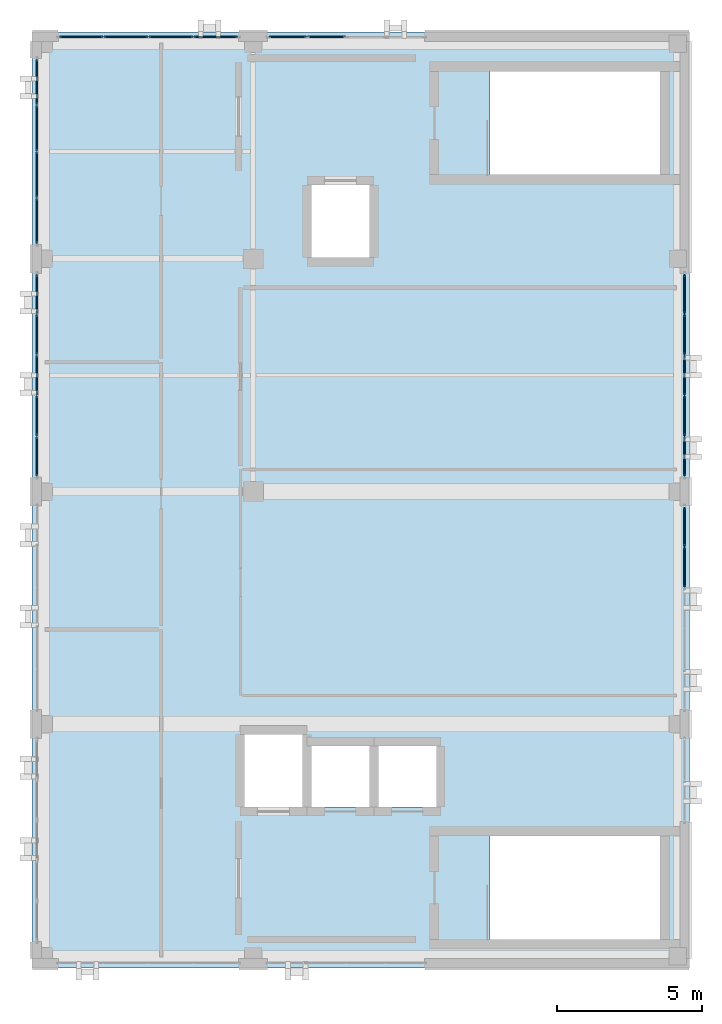
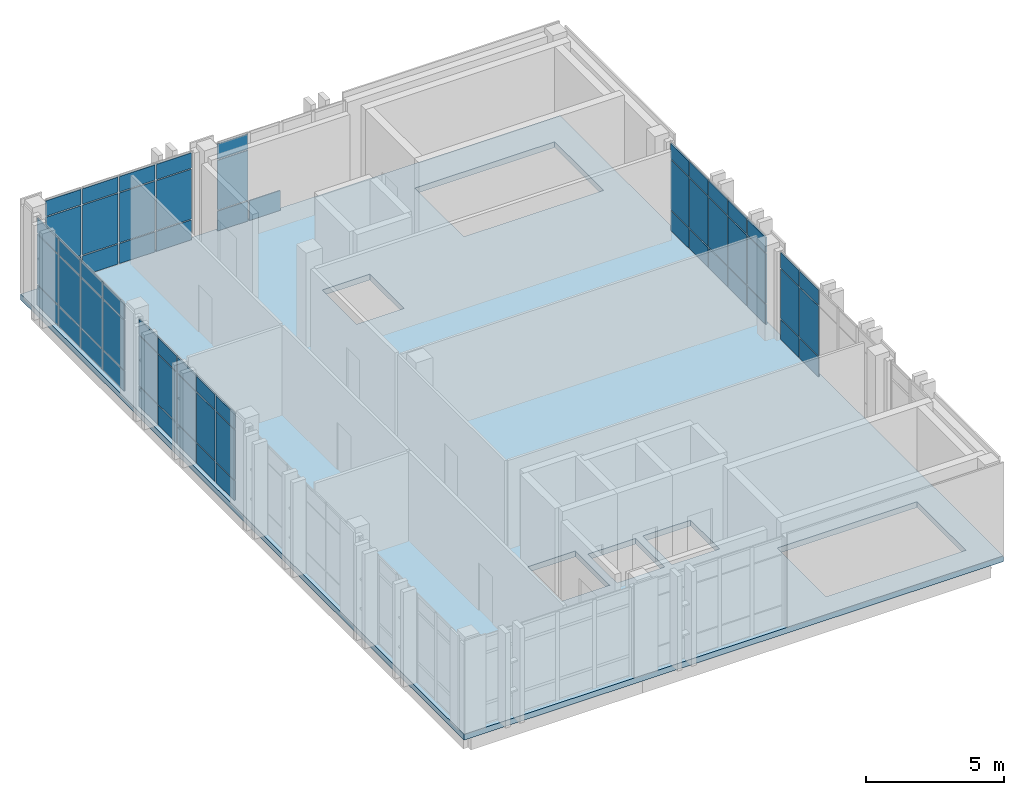
# One storey, part 16 of 19: 64 plates, 1 slab, 6 elements without a shape of their own.
"""IFC4 building model written with IfcOpenShell, lengths in metres."""

from ifc_helpers import new_model, si_unit, direction, frame, origin, origin_2d, place, context, subcontext, project, spatial, polyline, rectangle, outline, extrude, material, layer, layer_set, type_object, element, aggregate, save


model = new_model("IFC4")

# Units and contexts
model_context = context("Model", 3, precision=1e-05, world=origin(), true_north=direction((0.0, 1.0)))
body_context = subcontext(model_context, "Body", "Model", "MODEL_VIEW")
ifc_project = project(units=[si_unit("LENGTHUNIT", "METRE"), si_unit("AREAUNIT", "SQUARE_METRE"), si_unit("VOLUMEUNIT", "CUBIC_METRE"), si_unit("PLANEANGLEUNIT", "RADIAN"), si_unit("MASSUNIT", "GRAM", prefix="KILO")], contexts=[model_context])

# Site, building, storey
site_placement = place(None, origin())
site = spatial("IfcSite", under=ifc_project, at=site_placement, CompositionType="ELEMENT")
building_placement = place(site_placement, origin())
building = spatial("IfcBuilding", under=site, at=building_placement, Name="Qalavern Law Courts", CompositionType="ELEMENT")
storey_placement = place(building_placement, frame((0.0, 0.0, 39.60009765625)))
storey = spatial("IfcBuildingStorey", under=building, at=storey_placement, Name="L09", CompositionType="ELEMENT", Elevation=39.60009765625)

# Curtain wall, plates
ifc_material_1 = material(Name="Anodised aluminium and insulated glazing", Category="aluminium")
ifc_layer_1 = layer(ifc_material_1, 0.159912109375)
ifc_layer_set_1 = layer_set([ifc_layer_1], Name="Anodised aluminium and insulated glazing")
curtain_wall_type = type_object("IfcCurtainWallType", Name="ENV-CW-CHAMB", PredefinedType="USERDEFINED", material=ifc_layer_set_1)
curtain_wall_1_placement = place(storey_placement, origin())
curtain_wall_1 = element("IfcCurtainWall", 1, at=curtain_wall_1_placement, inside=storey, type_object=curtain_wall_type, Name="V4 unitised curtain wall L09 north 1", ObjectType="UNITISED CURTAIN WALL", PredefinedType="USERDEFINED")
ifc_material_2 = material(Name="Insulated low-E acoustic glazing", Category="glass")
ifc_layer_2 = layer(ifc_material_2, 0.0439453125)
ifc_layer_set_2 = layer_set([ifc_layer_2], Name="Insulated low-E acoustic glazing")
plate_type_1 = type_object("IfcPlateType", Name="ENV-CWP-44", PredefinedType="CURTAIN_PANEL", material=ifc_layer_set_2)
plate_1_placement = place(storey_placement, frame((94.324951171875, 73.03759765625, 0.0478515625), z_axis=(0.0, 0.0, 1.0), x_axis=(-1.0, 0.0, 0.0)))
plate_1 = element("IfcPlate", 2, at=plate_1_placement, type_object=plate_type_1, Name="CW-04 panel 3.1", PredefinedType="CURTAIN_PANEL", context=body_context, shape_type="SweptSolid", body=[
    extrude(rectangle(XDim=1.302001953125, YDim=0.0439453125, at=origin_2d()), origin(), (0.0, 0.0, 1.0), 0.8779296875),
])
plate_2_placement = place(storey_placement, frame((92.987060546875, 73.03759765625, 0.0478515625), z_axis=(0.0, 0.0, 1.0), x_axis=(-1.0, 0.0, 0.0)))
plate_2 = element("IfcPlate", 3, at=plate_2_placement, type_object=plate_type_1, Name="CW-04 panel 4.1", PredefinedType="CURTAIN_PANEL", context=body_context, shape_type="SweptSolid", body=[
    extrude(rectangle(XDim=1.278076171875, YDim=0.0439453125, at=origin_2d()), origin(), (0.0, 0.0, 1.0), 0.8779296875),
])
plate_3_placement = place(storey_placement, frame((92.987060546875, 73.03759765625, 0.97412109375), z_axis=(0.0, 0.0, 1.0), x_axis=(-1.0, 0.0, 0.0)))
plate_3 = element("IfcPlate", 4, at=plate_3_placement, type_object=plate_type_1, Name="CW-04 panel 4.2", PredefinedType="CURTAIN_PANEL", context=body_context, shape_type="SweptSolid", body=[
    extrude(rectangle(XDim=1.278076171875, YDim=0.0439453125, at=origin_2d()), origin(), (0.0, 0.0, 1.0), 2.201904296875),
])
plate_4_placement = place(storey_placement, frame((92.987060546875, 73.03759765625, 3.22412109375), z_axis=(0.0, 0.0, 1.0), x_axis=(-1.0, 0.0, 0.0)))
plate_4 = element("IfcPlate", 5, at=plate_4_placement, type_object=plate_type_1, Name="CW-04 panel 4.3", PredefinedType="CURTAIN_PANEL", context=body_context, shape_type="SweptSolid", body=[
    extrude(rectangle(XDim=1.278076171875, YDim=0.0439453125, at=origin_2d()), origin(), (0.0, 0.0, 1.0), 0.677978515625),
])
aggregate(curtain_wall_1, [plate_1, plate_2, plate_3, plate_4])

curtain_wall_2_placement = place(storey_placement, origin())
curtain_wall_2 = element("IfcCurtainWall", 6, at=curtain_wall_2_placement, inside=storey, type_object=curtain_wall_type, Name="V4 unitised curtain wall L09 west 1", ObjectType="UNITISED CURTAIN WALL", PredefinedType="USERDEFINED")
plate_5_placement = place(storey_placement, frame((84.362548828125, 71.488037109375, 0.0478515625), z_axis=(0.0, 0.0, 1.0), x_axis=(0.0, -1.0, 0.0)))
plate_5 = element("IfcPlate", 7, at=plate_5_placement, type_object=plate_type_1, Name="CW-04 panel 1.1", PredefinedType="CURTAIN_PANEL", context=body_context, shape_type="SweptSolid", body=[
    extrude(rectangle(XDim=1.528076171875, YDim=0.0439453125, at=origin_2d()), origin(), (0.0, 0.0, 1.0), 0.8779296875),
])
plate_6_placement = place(storey_placement, frame((84.362548828125, 71.488037109375, 0.97412109375), z_axis=(0.0, 0.0, 1.0), x_axis=(0.0, -1.0, 0.0)))
plate_6 = element("IfcPlate", 8, at=plate_6_placement, type_object=plate_type_1, Name="CW-04 panel 1.2", PredefinedType="CURTAIN_PANEL", context=body_context, shape_type="SweptSolid", body=[
    extrude(rectangle(XDim=1.528076171875, YDim=0.0439453125, at=origin_2d()), origin(), (0.0, 0.0, 1.0), 2.201904296875),
])
plate_7_placement = place(storey_placement, frame((84.362548828125, 71.488037109375, 3.22412109375), z_axis=(0.0, 0.0, 1.0), x_axis=(0.0, -1.0, 0.0)))
plate_7 = element("IfcPlate", 9, at=plate_7_placement, type_object=plate_type_1, Name="CW-04 panel 1.3", PredefinedType="CURTAIN_PANEL", context=body_context, shape_type="SweptSolid", body=[
    extrude(rectangle(XDim=1.528076171875, YDim=0.0439453125, at=origin_2d()), origin(), (0.0, 0.0, 1.0), 0.677978515625),
])
plate_8_placement = place(storey_placement, frame((84.362548828125, 69.89990234375, 0.0478515625), z_axis=(0.0, 0.0, 1.0), x_axis=(0.0, -1.0, 0.0)))
plate_8 = element("IfcPlate", 10, at=plate_8_placement, type_object=plate_type_1, Name="CW-04 panel 2.1", PredefinedType="CURTAIN_PANEL", context=body_context, shape_type="SweptSolid", body=[
    extrude(rectangle(XDim=1.552001953125, YDim=0.0439453125, at=origin_2d()), origin(), (0.0, 0.0, 1.0), 0.8779296875),
])
plate_9_placement = place(storey_placement, frame((84.362548828125, 69.89990234375, 0.97412109375), z_axis=(0.0, 0.0, 1.0), x_axis=(0.0, -1.0, 0.0)))
plate_9 = element("IfcPlate", 11, at=plate_9_placement, type_object=plate_type_1, Name="CW-04 panel 2.2", PredefinedType="CURTAIN_PANEL", context=body_context, shape_type="SweptSolid", body=[
    extrude(rectangle(XDim=1.552001953125, YDim=0.0439453125, at=origin_2d()), origin(), (0.0, 0.0, 1.0), 2.201904296875),
])
plate_10_placement = place(storey_placement, frame((84.362548828125, 69.89990234375, 3.22412109375), z_axis=(0.0, 0.0, 1.0), x_axis=(0.0, -1.0, 0.0)))
plate_10 = element("IfcPlate", 12, at=plate_10_placement, type_object=plate_type_1, Name="CW-04 panel 2.3", PredefinedType="CURTAIN_PANEL", context=body_context, shape_type="SweptSolid", body=[
    extrude(rectangle(XDim=1.552001953125, YDim=0.0439453125, at=origin_2d()), origin(), (0.0, 0.0, 1.0), 0.677978515625),
])
plate_11_placement = place(storey_placement, frame((84.362548828125, 68.300048828125, 0.0478515625), z_axis=(0.0, 0.0, 1.0), x_axis=(0.0, -1.0, 0.0)))
plate_11 = element("IfcPlate", 13, at=plate_11_placement, type_object=plate_type_1, Name="CW-04 panel 3.1", PredefinedType="CURTAIN_PANEL", context=body_context, shape_type="SweptSolid", body=[
    extrude(rectangle(XDim=1.552001953125, YDim=0.0439453125, at=origin_2d()), origin(), (0.0, 0.0, 1.0), 0.8779296875),
])
plate_12_placement = place(storey_placement, frame((84.362548828125, 68.300048828125, 0.97412109375), z_axis=(0.0, 0.0, 1.0), x_axis=(0.0, -1.0, 0.0)))
plate_12 = element("IfcPlate", 14, at=plate_12_placement, type_object=plate_type_1, Name="CW-04 panel 3.2", PredefinedType="CURTAIN_PANEL", context=body_context, shape_type="SweptSolid", body=[
    extrude(rectangle(XDim=1.552001953125, YDim=0.0439453125, at=origin_2d()), origin(), (0.0, 0.0, 1.0), 2.201904296875),
])
plate_13_placement = place(storey_placement, frame((84.362548828125, 68.300048828125, 3.22412109375), z_axis=(0.0, 0.0, 1.0), x_axis=(0.0, -1.0, 0.0)))
plate_13 = element("IfcPlate", 15, at=plate_13_placement, type_object=plate_type_1, Name="CW-04 panel 3.3", PredefinedType="CURTAIN_PANEL", context=body_context, shape_type="SweptSolid", body=[
    extrude(rectangle(XDim=1.552001953125, YDim=0.0439453125, at=origin_2d()), origin(), (0.0, 0.0, 1.0), 0.677978515625),
])
plate_14_placement = place(storey_placement, frame((84.362548828125, 66.7119140625, 0.0478515625), z_axis=(0.0, 0.0, 1.0), x_axis=(0.0, -1.0, 0.0)))
plate_14 = element("IfcPlate", 16, at=plate_14_placement, type_object=plate_type_1, Name="CW-04 panel 4.1", PredefinedType="CURTAIN_PANEL", context=body_context, shape_type="SweptSolid", body=[
    extrude(rectangle(XDim=1.528076171875, YDim=0.0439453125, at=origin_2d()), origin(), (0.0, 0.0, 1.0), 0.8779296875),
])
plate_15_placement = place(storey_placement, frame((84.362548828125, 66.7119140625, 0.97412109375), z_axis=(0.0, 0.0, 1.0), x_axis=(0.0, -1.0, 0.0)))
plate_15 = element("IfcPlate", 17, at=plate_15_placement, type_object=plate_type_1, Name="CW-04 panel 4.2", PredefinedType="CURTAIN_PANEL", context=body_context, shape_type="SweptSolid", body=[
    extrude(rectangle(XDim=1.528076171875, YDim=0.0439453125, at=origin_2d()), origin(), (0.0, 0.0, 1.0), 2.201904296875),
])
plate_16_placement = place(storey_placement, frame((84.362548828125, 66.7119140625, 3.22412109375), z_axis=(0.0, 0.0, 1.0), x_axis=(0.0, -1.0, 0.0)))
plate_16 = element("IfcPlate", 18, at=plate_16_placement, type_object=plate_type_1, Name="CW-04 panel 4.3", PredefinedType="CURTAIN_PANEL", context=body_context, shape_type="SweptSolid", body=[
    extrude(rectangle(XDim=1.528076171875, YDim=0.0439453125, at=origin_2d()), origin(), (0.0, 0.0, 1.0), 0.677978515625),
])
aggregate(curtain_wall_2, [plate_5, plate_6, plate_7, plate_8, plate_9, plate_10, plate_11, plate_12, plate_13, plate_14, plate_15, plate_16])

curtain_wall_3_placement = place(storey_placement, origin())
curtain_wall_3 = element("IfcCurtainWall", 19, at=curtain_wall_3_placement, inside=storey, type_object=curtain_wall_type, Name="V4 unitised curtain wall L09 east 2", ObjectType="UNITISED CURTAIN WALL", PredefinedType="USERDEFINED")
ifc_layer_3 = layer(ifc_material_2, 0.048095703125)
ifc_layer_set_3 = layer_set([ifc_layer_3], Name="Insulated low-E acoustic glazing")
plate_type_2 = type_object("IfcPlateType", Name="ENV-CWP-48", PredefinedType="CURTAIN_PANEL", material=ifc_layer_set_3)
plate_17_placement = place(storey_placement, frame((106.637451171875, 54.800048828125, 0.0478515625), z_axis=(0.0, 0.0, 1.0), x_axis=(0.0, 1.0, 0.0)))
plate_17 = element("IfcPlate", 20, at=plate_17_placement, type_object=plate_type_2, Name="CW-04 panel 4.1", PredefinedType="CURTAIN_PANEL", context=body_context, shape_type="SweptSolid", body=[
    extrude(rectangle(XDim=1.35205078125, YDim=0.048095703125, at=origin_2d()), origin(), (0.0, 0.0, 1.0), 0.8779296875),
])
plate_18_placement = place(storey_placement, frame((106.637451171875, 54.800048828125, 0.97412109375), z_axis=(0.0, 0.0, 1.0), x_axis=(0.0, 1.0, 0.0)))
plate_18 = element("IfcPlate", 21, at=plate_18_placement, type_object=plate_type_2, Name="CW-04 panel 4.2", PredefinedType="CURTAIN_PANEL", context=body_context, shape_type="SweptSolid", body=[
    extrude(rectangle(XDim=1.35205078125, YDim=0.048095703125, at=origin_2d()), origin(), (0.0, 0.0, 1.0), 2.201904296875),
])
plate_19_placement = place(storey_placement, frame((106.637451171875, 54.800048828125, 3.22412109375), z_axis=(0.0, 0.0, 1.0), x_axis=(0.0, 1.0, 0.0)))
plate_19 = element("IfcPlate", 22, at=plate_19_placement, type_object=plate_type_2, Name="CW-04 panel 4.3", PredefinedType="CURTAIN_PANEL", context=body_context, shape_type="SweptSolid", body=[
    extrude(rectangle(XDim=1.35205078125, YDim=0.048095703125, at=origin_2d()), origin(), (0.0, 0.0, 1.0), 0.677978515625),
])
plate_20_placement = place(storey_placement, frame((106.637451171875, 56.18798828125, 0.0478515625), z_axis=(0.0, 0.0, 1.0), x_axis=(0.0, 1.0, 0.0)))
plate_20 = element("IfcPlate", 23, at=plate_20_placement, type_object=plate_type_2, Name="CW-04 panel 5.1", PredefinedType="CURTAIN_PANEL", context=body_context, shape_type="SweptSolid", body=[
    extrude(rectangle(XDim=1.327880859375, YDim=0.048095703125, at=origin_2d()), origin(), (0.0, 0.0, 1.0), 0.8779296875),
])
plate_21_placement = place(storey_placement, frame((106.637451171875, 56.18798828125, 0.97412109375), z_axis=(0.0, 0.0, 1.0), x_axis=(0.0, 1.0, 0.0)))
plate_21 = element("IfcPlate", 24, at=plate_21_placement, type_object=plate_type_2, Name="CW-04 panel 5.2", PredefinedType="CURTAIN_PANEL", context=body_context, shape_type="SweptSolid", body=[
    extrude(rectangle(XDim=1.327880859375, YDim=0.048095703125, at=origin_2d()), origin(), (0.0, 0.0, 1.0), 2.201904296875),
])
plate_22_placement = place(storey_placement, frame((106.637451171875, 56.18798828125, 3.22412109375), z_axis=(0.0, 0.0, 1.0), x_axis=(0.0, 1.0, 0.0)))
plate_22 = element("IfcPlate", 25, at=plate_22_placement, type_object=plate_type_2, Name="CW-04 panel 5.3", PredefinedType="CURTAIN_PANEL", context=body_context, shape_type="SweptSolid", body=[
    extrude(rectangle(XDim=1.327880859375, YDim=0.048095703125, at=origin_2d()), origin(), (0.0, 0.0, 1.0), 0.677978515625),
])
aggregate(curtain_wall_3, [plate_17, plate_18, plate_19, plate_20, plate_21, plate_22])

curtain_wall_4_placement = place(storey_placement, origin())
curtain_wall_4 = element("IfcCurtainWall", 26, at=curtain_wall_4_placement, inside=storey, type_object=curtain_wall_type, Name="V4 unitised curtain wall L09 north 2", ObjectType="UNITISED CURTAIN WALL", PredefinedType="USERDEFINED")
plate_23_placement = place(storey_placement, frame((90.512939453125, 73.03759765625, 0.0478515625), z_axis=(0.0, 0.0, 1.0), x_axis=(-1.0, 0.0, 0.0)))
plate_23 = element("IfcPlate", 27, at=plate_23_placement, type_object=plate_type_2, Name="CW-04 panel 1.1", PredefinedType="CURTAIN_PANEL", context=body_context, shape_type="SweptSolid", body=[
    extrude(rectangle(XDim=1.47802734375, YDim=0.048095703125, at=origin_2d()), origin(), (0.0, 0.0, 1.0), 0.8779296875),
])
plate_24_placement = place(storey_placement, frame((90.512939453125, 73.03759765625, 0.97412109375), z_axis=(0.0, 0.0, 1.0), x_axis=(-1.0, 0.0, 0.0)))
plate_24 = element("IfcPlate", 28, at=plate_24_placement, type_object=plate_type_2, Name="CW-04 panel 1.2", PredefinedType="CURTAIN_PANEL", context=body_context, shape_type="SweptSolid", body=[
    extrude(rectangle(XDim=1.47802734375, YDim=0.048095703125, at=origin_2d()), origin(), (0.0, 0.0, 1.0), 2.201904296875),
])
plate_25_placement = place(storey_placement, frame((90.512939453125, 73.03759765625, 3.22412109375), z_axis=(0.0, 0.0, 1.0), x_axis=(-1.0, 0.0, 0.0)))
plate_25 = element("IfcPlate", 29, at=plate_25_placement, type_object=plate_type_2, Name="CW-04 panel 1.3", PredefinedType="CURTAIN_PANEL", context=body_context, shape_type="SweptSolid", body=[
    extrude(rectangle(XDim=1.47802734375, YDim=0.048095703125, at=origin_2d()), origin(), (0.0, 0.0, 1.0), 0.677978515625),
])
plate_26_placement = place(storey_placement, frame((88.97509765625, 73.03759765625, 0.0478515625), z_axis=(0.0, 0.0, 1.0), x_axis=(-1.0, 0.0, 0.0)))
plate_26 = element("IfcPlate", 30, at=plate_26_placement, type_object=plate_type_2, Name="CW-04 panel 2.1", PredefinedType="CURTAIN_PANEL", context=body_context, shape_type="SweptSolid", body=[
    extrude(rectangle(XDim=1.501953125, YDim=0.048095703125, at=origin_2d()), origin(), (0.0, 0.0, 1.0), 0.8779296875),
])
plate_27_placement = place(storey_placement, frame((88.97509765625, 73.03759765625, 0.97412109375), z_axis=(0.0, 0.0, 1.0), x_axis=(-1.0, 0.0, 0.0)))
plate_27 = element("IfcPlate", 31, at=plate_27_placement, type_object=plate_type_2, Name="CW-04 panel 2.2", PredefinedType="CURTAIN_PANEL", context=body_context, shape_type="SweptSolid", body=[
    extrude(rectangle(XDim=1.501953125, YDim=0.048095703125, at=origin_2d()), origin(), (0.0, 0.0, 1.0), 2.201904296875),
])
plate_28_placement = place(storey_placement, frame((88.97509765625, 73.03759765625, 3.22412109375), z_axis=(0.0, 0.0, 1.0), x_axis=(-1.0, 0.0, 0.0)))
plate_28 = element("IfcPlate", 32, at=plate_28_placement, type_object=plate_type_2, Name="CW-04 panel 2.3", PredefinedType="CURTAIN_PANEL", context=body_context, shape_type="SweptSolid", body=[
    extrude(rectangle(XDim=1.501953125, YDim=0.048095703125, at=origin_2d()), origin(), (0.0, 0.0, 1.0), 0.677978515625),
])
plate_29_placement = place(storey_placement, frame((87.425048828125, 73.03759765625, 0.0478515625), z_axis=(0.0, 0.0, 1.0), x_axis=(-1.0, 0.0, 0.0)))
plate_29 = element("IfcPlate", 33, at=plate_29_placement, type_object=plate_type_2, Name="CW-04 panel 3.1", PredefinedType="CURTAIN_PANEL", context=body_context, shape_type="SweptSolid", body=[
    extrude(rectangle(XDim=1.501953125, YDim=0.048095703125, at=origin_2d()), origin(), (0.0, 0.0, 1.0), 0.8779296875),
])
plate_30_placement = place(storey_placement, frame((87.425048828125, 73.03759765625, 0.97412109375), z_axis=(0.0, 0.0, 1.0), x_axis=(-1.0, 0.0, 0.0)))
plate_30 = element("IfcPlate", 34, at=plate_30_placement, type_object=plate_type_2, Name="CW-04 panel 3.2", PredefinedType="CURTAIN_PANEL", context=body_context, shape_type="SweptSolid", body=[
    extrude(rectangle(XDim=1.501953125, YDim=0.048095703125, at=origin_2d()), origin(), (0.0, 0.0, 1.0), 2.201904296875),
])
plate_31_placement = place(storey_placement, frame((87.425048828125, 73.03759765625, 3.22412109375), z_axis=(0.0, 0.0, 1.0), x_axis=(-1.0, 0.0, 0.0)))
plate_31 = element("IfcPlate", 35, at=plate_31_placement, type_object=plate_type_2, Name="CW-04 panel 3.3", PredefinedType="CURTAIN_PANEL", context=body_context, shape_type="SweptSolid", body=[
    extrude(rectangle(XDim=1.501953125, YDim=0.048095703125, at=origin_2d()), origin(), (0.0, 0.0, 1.0), 0.677978515625),
])
plate_32_placement = place(storey_placement, frame((85.886962890625, 73.03759765625, 0.0478515625), z_axis=(0.0, 0.0, 1.0), x_axis=(-1.0, 0.0, 0.0)))
plate_32 = element("IfcPlate", 36, at=plate_32_placement, type_object=plate_type_2, Name="CW-04 panel 4.1", PredefinedType="CURTAIN_PANEL", context=body_context, shape_type="SweptSolid", body=[
    extrude(rectangle(XDim=1.47802734375, YDim=0.048095703125, at=origin_2d()), origin(), (0.0, 0.0, 1.0), 0.8779296875),
])
plate_33_placement = place(storey_placement, frame((85.886962890625, 73.03759765625, 0.97412109375), z_axis=(0.0, 0.0, 1.0), x_axis=(-1.0, 0.0, 0.0)))
plate_33 = element("IfcPlate", 37, at=plate_33_placement, type_object=plate_type_2, Name="CW-04 panel 4.2", PredefinedType="CURTAIN_PANEL", context=body_context, shape_type="SweptSolid", body=[
    extrude(rectangle(XDim=1.47802734375, YDim=0.048095703125, at=origin_2d()), origin(), (0.0, 0.0, 1.0), 2.201904296875),
])
plate_34_placement = place(storey_placement, frame((85.886962890625, 73.03759765625, 3.22412109375), z_axis=(0.0, 0.0, 1.0), x_axis=(-1.0, 0.0, 0.0)))
plate_34 = element("IfcPlate", 38, at=plate_34_placement, type_object=plate_type_2, Name="CW-04 panel 4.3", PredefinedType="CURTAIN_PANEL", context=body_context, shape_type="SweptSolid", body=[
    extrude(rectangle(XDim=1.47802734375, YDim=0.048095703125, at=origin_2d()), origin(), (0.0, 0.0, 1.0), 0.677978515625),
])
aggregate(curtain_wall_4, [plate_23, plate_24, plate_25, plate_26, plate_27, plate_28, plate_29, plate_30, plate_31, plate_32, plate_33, plate_34])

curtain_wall_5_placement = place(storey_placement, origin())
curtain_wall_5 = element("IfcCurtainWall", 39, at=curtain_wall_5_placement, inside=storey, type_object=curtain_wall_type, Name="V4 unitised curtain wall L09 west 2", ObjectType="UNITISED CURTAIN WALL", PredefinedType="USERDEFINED")
plate_35_placement = place(storey_placement, frame((84.362548828125, 64.18798828125, 0.0478515625), z_axis=(0.0, 0.0, 1.0), x_axis=(0.0, -1.0, 0.0)))
plate_35 = element("IfcPlate", 40, at=plate_35_placement, type_object=plate_type_2, Name="CW-04 panel 1.1", PredefinedType="CURTAIN_PANEL", context=body_context, shape_type="SweptSolid", body=[
    extrude(rectangle(XDim=1.327880859375, YDim=0.048095703125, at=origin_2d()), origin(), (0.0, 0.0, 1.0), 0.8779296875),
])
plate_36_placement = place(storey_placement, frame((84.362548828125, 64.18798828125, 0.97412109375), z_axis=(0.0, 0.0, 1.0), x_axis=(0.0, -1.0, 0.0)))
plate_36 = element("IfcPlate", 41, at=plate_36_placement, type_object=plate_type_2, Name="CW-04 panel 1.2", PredefinedType="CURTAIN_PANEL", context=body_context, shape_type="SweptSolid", body=[
    extrude(rectangle(XDim=1.327880859375, YDim=0.048095703125, at=origin_2d()), origin(), (0.0, 0.0, 1.0), 2.201904296875),
])
plate_37_placement = place(storey_placement, frame((84.362548828125, 64.18798828125, 3.22412109375), z_axis=(0.0, 0.0, 1.0), x_axis=(0.0, -1.0, 0.0)))
plate_37 = element("IfcPlate", 42, at=plate_37_placement, type_object=plate_type_2, Name="CW-04 panel 1.3", PredefinedType="CURTAIN_PANEL", context=body_context, shape_type="SweptSolid", body=[
    extrude(rectangle(XDim=1.327880859375, YDim=0.048095703125, at=origin_2d()), origin(), (0.0, 0.0, 1.0), 0.677978515625),
])
plate_38_placement = place(storey_placement, frame((84.362548828125, 62.800048828125, 0.0478515625), z_axis=(0.0, 0.0, 1.0), x_axis=(0.0, -1.0, 0.0)))
plate_38 = element("IfcPlate", 43, at=plate_38_placement, type_object=plate_type_2, Name="CW-04 panel 2.1", PredefinedType="CURTAIN_PANEL", context=body_context, shape_type="SweptSolid", body=[
    extrude(rectangle(XDim=1.35205078125, YDim=0.048095703125, at=origin_2d()), origin(), (0.0, 0.0, 1.0), 0.8779296875),
])
plate_39_placement = place(storey_placement, frame((84.362548828125, 62.800048828125, 0.97412109375), z_axis=(0.0, 0.0, 1.0), x_axis=(0.0, -1.0, 0.0)))
plate_39 = element("IfcPlate", 44, at=plate_39_placement, type_object=plate_type_2, Name="CW-04 panel 2.2", PredefinedType="CURTAIN_PANEL", context=body_context, shape_type="SweptSolid", body=[
    extrude(rectangle(XDim=1.35205078125, YDim=0.048095703125, at=origin_2d()), origin(), (0.0, 0.0, 1.0), 2.201904296875),
])
plate_40_placement = place(storey_placement, frame((84.362548828125, 62.800048828125, 3.22412109375), z_axis=(0.0, 0.0, 1.0), x_axis=(0.0, -1.0, 0.0)))
plate_40 = element("IfcPlate", 45, at=plate_40_placement, type_object=plate_type_2, Name="CW-04 panel 2.3", PredefinedType="CURTAIN_PANEL", context=body_context, shape_type="SweptSolid", body=[
    extrude(rectangle(XDim=1.35205078125, YDim=0.048095703125, at=origin_2d()), origin(), (0.0, 0.0, 1.0), 0.677978515625),
])
plate_41_placement = place(storey_placement, frame((84.362548828125, 61.39990234375, 0.0478515625), z_axis=(0.0, 0.0, 1.0), x_axis=(0.0, -1.0, 0.0)))
plate_41 = element("IfcPlate", 46, at=plate_41_placement, type_object=plate_type_2, Name="CW-04 panel 3.1", PredefinedType="CURTAIN_PANEL", context=body_context, shape_type="SweptSolid", body=[
    extrude(rectangle(XDim=1.35205078125, YDim=0.048095703125, at=origin_2d()), origin(), (0.0, 0.0, 1.0), 0.8779296875),
])
plate_42_placement = place(storey_placement, frame((84.362548828125, 61.39990234375, 0.97412109375), z_axis=(0.0, 0.0, 1.0), x_axis=(0.0, -1.0, 0.0)))
plate_42 = element("IfcPlate", 47, at=plate_42_placement, type_object=plate_type_2, Name="CW-04 panel 3.2", PredefinedType="CURTAIN_PANEL", context=body_context, shape_type="SweptSolid", body=[
    extrude(rectangle(XDim=1.35205078125, YDim=0.048095703125, at=origin_2d()), origin(), (0.0, 0.0, 1.0), 2.201904296875),
])
plate_43_placement = place(storey_placement, frame((84.362548828125, 61.39990234375, 3.22412109375), z_axis=(0.0, 0.0, 1.0), x_axis=(0.0, -1.0, 0.0)))
plate_43 = element("IfcPlate", 48, at=plate_43_placement, type_object=plate_type_2, Name="CW-04 panel 3.3", PredefinedType="CURTAIN_PANEL", context=body_context, shape_type="SweptSolid", body=[
    extrude(rectangle(XDim=1.35205078125, YDim=0.048095703125, at=origin_2d()), origin(), (0.0, 0.0, 1.0), 0.677978515625),
])
plate_44_placement = place(storey_placement, frame((84.362548828125, 60.0, 0.0478515625), z_axis=(0.0, 0.0, 1.0), x_axis=(0.0, -1.0, 0.0)))
plate_44 = element("IfcPlate", 49, at=plate_44_placement, type_object=plate_type_2, Name="CW-04 panel 4.1", PredefinedType="CURTAIN_PANEL", context=body_context, shape_type="SweptSolid", body=[
    extrude(rectangle(XDim=1.35205078125, YDim=0.048095703125, at=origin_2d()), origin(), (0.0, 0.0, 1.0), 0.8779296875),
])
plate_45_placement = place(storey_placement, frame((84.362548828125, 60.0, 0.97412109375), z_axis=(0.0, 0.0, 1.0), x_axis=(0.0, -1.0, 0.0)))
plate_45 = element("IfcPlate", 50, at=plate_45_placement, type_object=plate_type_2, Name="CW-04 panel 4.2", PredefinedType="CURTAIN_PANEL", context=body_context, shape_type="SweptSolid", body=[
    extrude(rectangle(XDim=1.35205078125, YDim=0.048095703125, at=origin_2d()), origin(), (0.0, 0.0, 1.0), 2.201904296875),
])
plate_46_placement = place(storey_placement, frame((84.362548828125, 60.0, 3.22412109375), z_axis=(0.0, 0.0, 1.0), x_axis=(0.0, -1.0, 0.0)))
plate_46 = element("IfcPlate", 51, at=plate_46_placement, type_object=plate_type_2, Name="CW-04 panel 4.3", PredefinedType="CURTAIN_PANEL", context=body_context, shape_type="SweptSolid", body=[
    extrude(rectangle(XDim=1.35205078125, YDim=0.048095703125, at=origin_2d()), origin(), (0.0, 0.0, 1.0), 0.677978515625),
])
plate_47_placement = place(storey_placement, frame((84.362548828125, 58.612060546875, 0.0478515625), z_axis=(0.0, 0.0, 1.0), x_axis=(0.0, -1.0, 0.0)))
plate_47 = element("IfcPlate", 52, at=plate_47_placement, type_object=plate_type_2, Name="CW-04 panel 5.1", PredefinedType="CURTAIN_PANEL", context=body_context, shape_type="SweptSolid", body=[
    extrude(rectangle(XDim=1.327880859375, YDim=0.048095703125, at=origin_2d()), origin(), (0.0, 0.0, 1.0), 0.8779296875),
])
plate_48_placement = place(storey_placement, frame((84.362548828125, 58.612060546875, 0.97412109375), z_axis=(0.0, 0.0, 1.0), x_axis=(0.0, -1.0, 0.0)))
plate_48 = element("IfcPlate", 53, at=plate_48_placement, type_object=plate_type_2, Name="CW-04 panel 5.2", PredefinedType="CURTAIN_PANEL", context=body_context, shape_type="SweptSolid", body=[
    extrude(rectangle(XDim=1.327880859375, YDim=0.048095703125, at=origin_2d()), origin(), (0.0, 0.0, 1.0), 2.201904296875),
])
plate_49_placement = place(storey_placement, frame((84.362548828125, 58.612060546875, 3.22412109375), z_axis=(0.0, 0.0, 1.0), x_axis=(0.0, -1.0, 0.0)))
plate_49 = element("IfcPlate", 54, at=plate_49_placement, type_object=plate_type_2, Name="CW-04 panel 5.3", PredefinedType="CURTAIN_PANEL", context=body_context, shape_type="SweptSolid", body=[
    extrude(rectangle(XDim=1.327880859375, YDim=0.048095703125, at=origin_2d()), origin(), (0.0, 0.0, 1.0), 0.677978515625),
])
aggregate(curtain_wall_5, [plate_35, plate_36, plate_37, plate_38, plate_39, plate_40, plate_41, plate_42, plate_43, plate_44, plate_45, plate_46, plate_47, plate_48, plate_49])

curtain_wall_6_placement = place(storey_placement, origin())
curtain_wall_6 = element("IfcCurtainWall", 55, at=curtain_wall_6_placement, inside=storey, type_object=curtain_wall_type, Name="V4 unitised curtain wall L09 east 3", ObjectType="UNITISED CURTAIN WALL", PredefinedType="USERDEFINED")
ifc_layer_4 = layer(ifc_material_2, 0.052001953125)
ifc_layer_set_4 = layer_set([ifc_layer_4], Name="Insulated low-E acoustic glazing")
plate_type_3 = type_object("IfcPlateType", Name="ENV-CWP-52", PredefinedType="CURTAIN_PANEL", material=ifc_layer_set_4)
plate_50_placement = place(storey_placement, frame((106.637451171875, 58.612060546875, 0.0478515625), z_axis=(0.0, 0.0, 1.0), x_axis=(0.0, 1.0, 0.0)))
plate_50 = element("IfcPlate", 56, at=plate_50_placement, type_object=plate_type_3, Name="CW-04 panel 1.1", PredefinedType="CURTAIN_PANEL", context=body_context, shape_type="SweptSolid", body=[
    extrude(rectangle(XDim=1.327880859375, YDim=0.052001953125, at=origin_2d()), origin(), (0.0, 0.0, 1.0), 0.8779296875),
])
plate_51_placement = place(storey_placement, frame((106.637451171875, 58.612060546875, 0.97412109375), z_axis=(0.0, 0.0, 1.0), x_axis=(0.0, 1.0, 0.0)))
plate_51 = element("IfcPlate", 57, at=plate_51_placement, type_object=plate_type_3, Name="CW-04 panel 1.2", PredefinedType="CURTAIN_PANEL", context=body_context, shape_type="SweptSolid", body=[
    extrude(rectangle(XDim=1.327880859375, YDim=0.052001953125, at=origin_2d()), origin(), (0.0, 0.0, 1.0), 2.201904296875),
])
plate_52_placement = place(storey_placement, frame((106.637451171875, 58.612060546875, 3.22412109375), z_axis=(0.0, 0.0, 1.0), x_axis=(0.0, 1.0, 0.0)))
plate_52 = element("IfcPlate", 58, at=plate_52_placement, type_object=plate_type_3, Name="CW-04 panel 1.3", PredefinedType="CURTAIN_PANEL", context=body_context, shape_type="SweptSolid", body=[
    extrude(rectangle(XDim=1.327880859375, YDim=0.052001953125, at=origin_2d()), origin(), (0.0, 0.0, 1.0), 0.677978515625),
])
plate_53_placement = place(storey_placement, frame((106.637451171875, 60.0, 0.0478515625), z_axis=(0.0, 0.0, 1.0), x_axis=(0.0, 1.0, 0.0)))
plate_53 = element("IfcPlate", 59, at=plate_53_placement, type_object=plate_type_3, Name="CW-04 panel 2.1", PredefinedType="CURTAIN_PANEL", context=body_context, shape_type="SweptSolid", body=[
    extrude(rectangle(XDim=1.35205078125, YDim=0.052001953125, at=origin_2d()), origin(), (0.0, 0.0, 1.0), 0.8779296875),
])
plate_54_placement = place(storey_placement, frame((106.637451171875, 60.0, 0.97412109375), z_axis=(0.0, 0.0, 1.0), x_axis=(0.0, 1.0, 0.0)))
plate_54 = element("IfcPlate", 60, at=plate_54_placement, type_object=plate_type_3, Name="CW-04 panel 2.2", PredefinedType="CURTAIN_PANEL", context=body_context, shape_type="SweptSolid", body=[
    extrude(rectangle(XDim=1.35205078125, YDim=0.052001953125, at=origin_2d()), origin(), (0.0, 0.0, 1.0), 2.201904296875),
])
plate_55_placement = place(storey_placement, frame((106.637451171875, 60.0, 3.22412109375), z_axis=(0.0, 0.0, 1.0), x_axis=(0.0, 1.0, 0.0)))
plate_55 = element("IfcPlate", 61, at=plate_55_placement, type_object=plate_type_3, Name="CW-04 panel 2.3", PredefinedType="CURTAIN_PANEL", context=body_context, shape_type="SweptSolid", body=[
    extrude(rectangle(XDim=1.35205078125, YDim=0.052001953125, at=origin_2d()), origin(), (0.0, 0.0, 1.0), 0.677978515625),
])
plate_56_placement = place(storey_placement, frame((106.637451171875, 61.39990234375, 0.0478515625), z_axis=(0.0, 0.0, 1.0), x_axis=(0.0, 1.0, 0.0)))
plate_56 = element("IfcPlate", 62, at=plate_56_placement, type_object=plate_type_3, Name="CW-04 panel 3.1", PredefinedType="CURTAIN_PANEL", context=body_context, shape_type="SweptSolid", body=[
    extrude(rectangle(XDim=1.35205078125, YDim=0.052001953125, at=origin_2d()), origin(), (0.0, 0.0, 1.0), 0.8779296875),
])
plate_57_placement = place(storey_placement, frame((106.637451171875, 61.39990234375, 0.97412109375), z_axis=(0.0, 0.0, 1.0), x_axis=(0.0, 1.0, 0.0)))
plate_57 = element("IfcPlate", 63, at=plate_57_placement, type_object=plate_type_3, Name="CW-04 panel 3.2", PredefinedType="CURTAIN_PANEL", context=body_context, shape_type="SweptSolid", body=[
    extrude(rectangle(XDim=1.35205078125, YDim=0.052001953125, at=origin_2d()), origin(), (0.0, 0.0, 1.0), 2.201904296875),
])
plate_58_placement = place(storey_placement, frame((106.637451171875, 61.39990234375, 3.22412109375), z_axis=(0.0, 0.0, 1.0), x_axis=(0.0, 1.0, 0.0)))
plate_58 = element("IfcPlate", 64, at=plate_58_placement, type_object=plate_type_3, Name="CW-04 panel 3.3", PredefinedType="CURTAIN_PANEL", context=body_context, shape_type="SweptSolid", body=[
    extrude(rectangle(XDim=1.35205078125, YDim=0.052001953125, at=origin_2d()), origin(), (0.0, 0.0, 1.0), 0.677978515625),
])
plate_59_placement = place(storey_placement, frame((106.637451171875, 62.800048828125, 0.0478515625), z_axis=(0.0, 0.0, 1.0), x_axis=(0.0, 1.0, 0.0)))
plate_59 = element("IfcPlate", 65, at=plate_59_placement, type_object=plate_type_3, Name="CW-04 panel 4.1", PredefinedType="CURTAIN_PANEL", context=body_context, shape_type="SweptSolid", body=[
    extrude(rectangle(XDim=1.35205078125, YDim=0.052001953125, at=origin_2d()), origin(), (0.0, 0.0, 1.0), 0.8779296875),
])
plate_60_placement = place(storey_placement, frame((106.637451171875, 62.800048828125, 0.97412109375), z_axis=(0.0, 0.0, 1.0), x_axis=(0.0, 1.0, 0.0)))
plate_60 = element("IfcPlate", 66, at=plate_60_placement, type_object=plate_type_3, Name="CW-04 panel 4.2", PredefinedType="CURTAIN_PANEL", context=body_context, shape_type="SweptSolid", body=[
    extrude(rectangle(XDim=1.35205078125, YDim=0.052001953125, at=origin_2d()), origin(), (0.0, 0.0, 1.0), 2.201904296875),
])
plate_61_placement = place(storey_placement, frame((106.637451171875, 62.800048828125, 3.22412109375), z_axis=(0.0, 0.0, 1.0), x_axis=(0.0, 1.0, 0.0)))
plate_61 = element("IfcPlate", 67, at=plate_61_placement, type_object=plate_type_3, Name="CW-04 panel 4.3", PredefinedType="CURTAIN_PANEL", context=body_context, shape_type="SweptSolid", body=[
    extrude(rectangle(XDim=1.35205078125, YDim=0.052001953125, at=origin_2d()), origin(), (0.0, 0.0, 1.0), 0.677978515625),
])
plate_62_placement = place(storey_placement, frame((106.637451171875, 64.18798828125, 0.0478515625), z_axis=(0.0, 0.0, 1.0), x_axis=(0.0, 1.0, 0.0)))
plate_62 = element("IfcPlate", 68, at=plate_62_placement, type_object=plate_type_3, Name="CW-04 panel 5.1", PredefinedType="CURTAIN_PANEL", context=body_context, shape_type="SweptSolid", body=[
    extrude(rectangle(XDim=1.327880859375, YDim=0.052001953125, at=origin_2d()), origin(), (0.0, 0.0, 1.0), 0.8779296875),
])
plate_63_placement = place(storey_placement, frame((106.637451171875, 64.18798828125, 0.97412109375), z_axis=(0.0, 0.0, 1.0), x_axis=(0.0, 1.0, 0.0)))
plate_63 = element("IfcPlate", 69, at=plate_63_placement, type_object=plate_type_3, Name="CW-04 panel 5.2", PredefinedType="CURTAIN_PANEL", context=body_context, shape_type="SweptSolid", body=[
    extrude(rectangle(XDim=1.327880859375, YDim=0.052001953125, at=origin_2d()), origin(), (0.0, 0.0, 1.0), 2.201904296875),
])
plate_64_placement = place(storey_placement, frame((106.637451171875, 64.18798828125, 3.22412109375), z_axis=(0.0, 0.0, 1.0), x_axis=(0.0, 1.0, 0.0)))
plate_64 = element("IfcPlate", 70, at=plate_64_placement, type_object=plate_type_3, Name="CW-04 panel 5.3", PredefinedType="CURTAIN_PANEL", context=body_context, shape_type="SweptSolid", body=[
    extrude(rectangle(XDim=1.327880859375, YDim=0.052001953125, at=origin_2d()), origin(), (0.0, 0.0, 1.0), 0.677978515625),
])
aggregate(curtain_wall_6, [plate_50, plate_51, plate_52, plate_53, plate_54, plate_55, plate_56, plate_57, plate_58, plate_59, plate_60, plate_61, plate_62, plate_63, plate_64])

# Slab
ifc_material_3 = material(Name="Concrete C35/45", Category="concrete")
ifc_layer_5 = layer(ifc_material_3, 0.2548828125)
ifc_layer_set_5 = layer_set([ifc_layer_5], Name="Concrete C35/45")
slab_type = type_object("IfcSlabType", Name="STR-SLB-L09-255", PredefinedType="FLOOR", material=ifc_layer_set_5)
slab_placement = place(storey_placement, frame((0.0, 0.0, -0.255126953125)))
element("IfcSlab", 71, at=slab_placement, inside=storey, type_object=slab_type, Name="V4 floor slab L09", PredefinedType="FLOOR", context=body_context, shape_type="SweptSolid", body=[
    extrude(outline(polyline([(84.199951171875, 41.02001953125), (106.800048828125, 41.02001953125), (106.800048828125, 73.199951171875), (84.199951171875, 73.199951171875), (84.199951171875, 41.02001953125)]), holes=[polyline([(99.93994140625, 42.0), (105.800048828125, 42.0), (105.800048828125, 45.550048828125), (99.93994140625, 45.550048828125), (99.93994140625, 42.0)]), polyline([(91.5, 46.550048828125), (93.5, 46.550048828125), (93.5, 49.050048828125), (91.5, 49.050048828125), (91.5, 46.550048828125)]), polyline([(93.800048828125, 46.550048828125), (95.800048828125, 46.550048828125), (95.800048828125, 48.64990234375), (93.800048828125, 48.64990234375), (93.800048828125, 46.550048828125)]), polyline([(96.10009765625, 46.550048828125), (98.10009765625, 46.550048828125), (98.10009765625, 48.64990234375), (96.10009765625, 48.64990234375), (96.10009765625, 46.550048828125)]), polyline([(99.93994140625, 68.300048828125), (105.800048828125, 68.300048828125), (105.800048828125, 71.85009765625), (99.93994140625, 71.85009765625), (99.93994140625, 68.300048828125)]), polyline([(93.800048828125, 65.449951171875), (95.800048828125, 65.449951171875), (95.800048828125, 67.949951171875), (93.800048828125, 67.949951171875), (93.800048828125, 65.449951171875)])]), origin(), (0.0, 0.0, 1.0), 0.255126953125),
])

save(model, "model.ifc")
